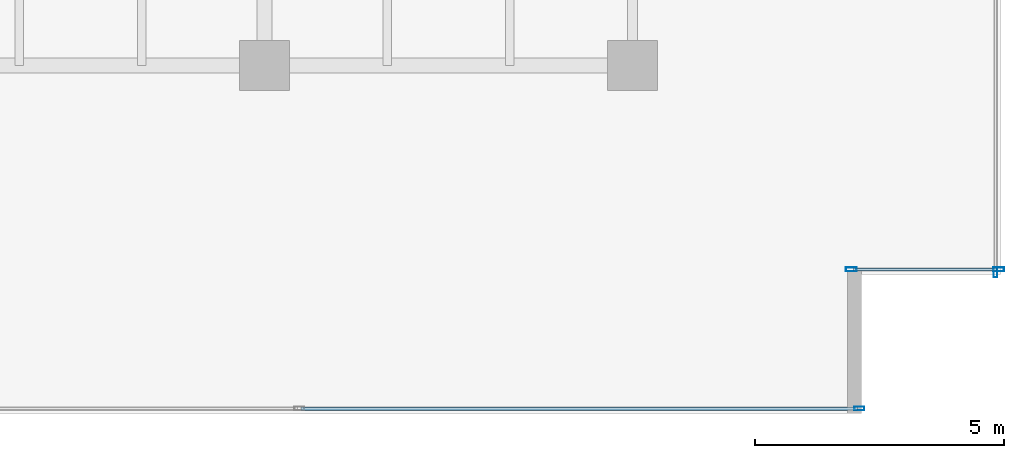
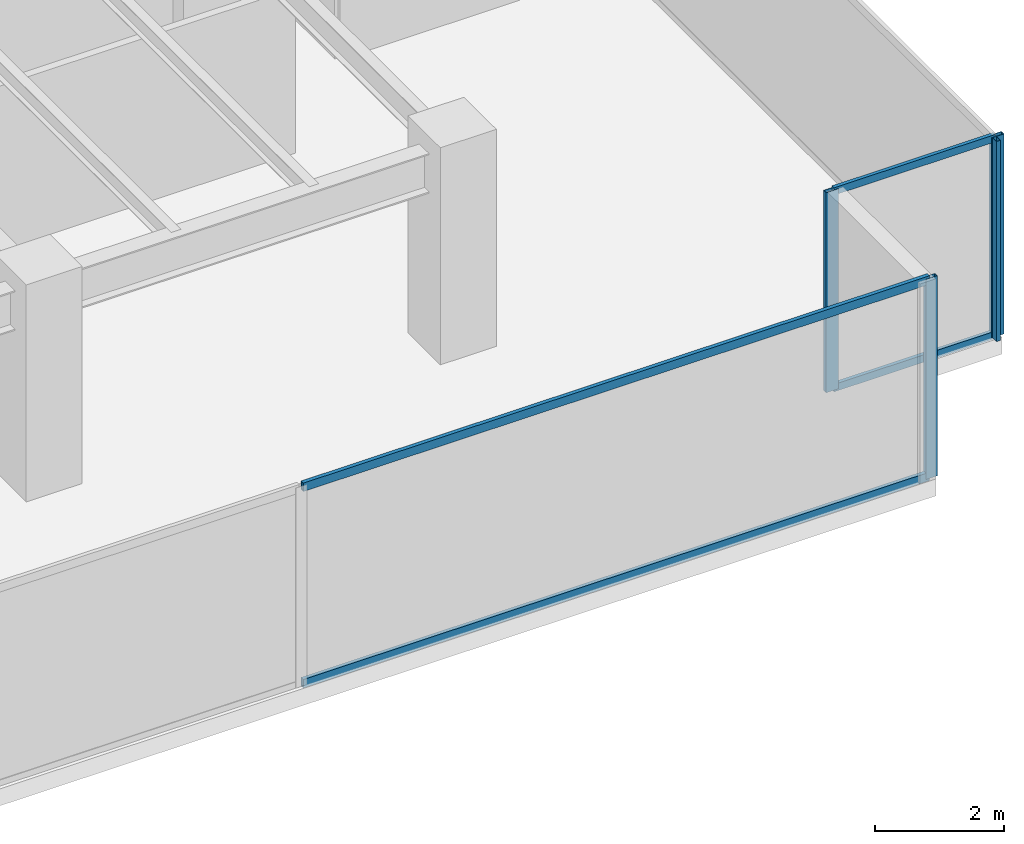
# One storey, part 23 of 35: 8 members, 3 elements without a shape of their own.
"""IFC4 building model written with IfcOpenShell, lengths in metres."""

from ifc_helpers import new_model, si_unit, direction, frame, origin, origin_2d, place, context, subcontext, project, spatial, hollow_rectangle, extrude, source, transform, mapped, material, layer, layer_set, material_profile, profile_set, type_object, type_shapes, element, aggregate, save


model = new_model("IFC4")

# Units and contexts
model_context = context("Model", 3, precision=1e-05, world=origin(), true_north=direction((0.0, 1.0)))
body_context = subcontext(model_context, "Body", "Model", "MODEL_VIEW")
ifc_project = project(units=[si_unit("LENGTHUNIT", "METRE"), si_unit("AREAUNIT", "SQUARE_METRE"), si_unit("VOLUMEUNIT", "CUBIC_METRE"), si_unit("PLANEANGLEUNIT", "RADIAN"), si_unit("MASSUNIT", "GRAM", prefix="KILO")], contexts=[model_context])

# Site, building, storey
site_placement = place(None, origin())
site = spatial("IfcSite", under=ifc_project, at=site_placement, CompositionType="ELEMENT")
building_placement = place(site_placement, origin())
building = spatial("IfcBuilding", under=site, at=building_placement, Name="Haelvirn Gate Laboratories", CompositionType="ELEMENT")
storey_placement = place(building_placement, frame((0.0, 0.0, 90.800048828125)))
storey = spatial("IfcBuildingStorey", under=building, at=storey_placement, Name="L22", CompositionType="ELEMENT", Elevation=90.800048828125)

# Curtain wall, member
ifc_material_1 = material(Name="Anodised bronze unitised aluminium & triple low-E glass", Category="aluminium")
ifc_layer_1 = layer(ifc_material_1, 0.18408203125, Name="CW-SYS-2")
ifc_layer_set_1 = layer_set([ifc_layer_1], Name="Anodised bronze unitised aluminium & triple low-E glass")
curtain_wall_type_1 = type_object("IfcCurtainWallType", Name="CW-SYS-2", PredefinedType="NOTDEFINED", material=ifc_layer_set_1)
curtain_wall_1_placement = place(storey_placement, origin())
curtain_wall_1 = element("IfcCurtainWall", 1, at=curtain_wall_1_placement, inside=storey, type_object=curtain_wall_type_1, Name="L22 Unitised Curtain Wall CW-L22-P0-E04-1", PredefinedType="NOTDEFINED")
ifc_material_2 = material(Name="Extruded aluminium 6063-T6 (anodised bronze)", Category="aluminium")
ifc_material_profile_1 = material_profile(ifc_material_2, hollow_rectangle(XDim=0.074951171875, YDim=0.199951171875, WallThickness=0.0048828125, at=origin_2d()), Name="CWM-200x75x5")
ifc_profile_set_1 = profile_set([ifc_material_profile_1], Name="Extruded aluminium 6063-T6 (anodised bronze)")
member_type_1 = type_object("IfcMemberType", Name="CWM-T200", PredefinedType="MULLION", material=ifc_profile_set_1)
shared_shape_1 = source(origin(), body_context, "Body", "SweptSolid", [
    extrude(hollow_rectangle(XDim=0.074951171875, YDim=0.199951171875, WallThickness=0.0048828125, at=origin_2d()), origin(), (0.0, 0.0, 1.0), 3.780029296875),
])
type_shapes(member_type_1, [shared_shape_1])
member_1_placement = place(storey_placement, frame((71.96240234375, 0.10009765625, 0.0), z_axis=(0.0, 0.0, 1.0), x_axis=(0.0, 1.0, 0.0)))
member_1 = element("IfcMember", 2, at=member_1_placement, type_object=member_type_1, Name="CW2 mullion 3", PredefinedType="MULLION", context=body_context, shape_type="MappedRepresentation", body=[
    mapped(shared_shape_1, transform((0.0, 0.0, 0.0), scale=1.0)),
])

curtain_wall_2_placement = place(storey_placement, origin())
curtain_wall_2 = element("IfcCurtainWall", 3, at=curtain_wall_2_placement, inside=storey, type_object=curtain_wall_type_1, Name="L22 Unitised Curtain Wall CW-L22-P0-E07", PredefinedType="NOTDEFINED")
member_2_placement = place(storey_placement, frame((74.699951171875, 2.83740234375, 0.0), z_axis=(0.0, 0.0, 1.0), x_axis=(-1.0, 0.0, 0.0)))
member_2 = element("IfcMember", 4, at=member_2_placement, type_object=member_type_1, Name="CW2 mullion 1", PredefinedType="MULLION", context=body_context, shape_type="MappedRepresentation", body=[
    mapped(shared_shape_1, transform((0.0, 0.0, 0.0), scale=1.0)),
])
aggregate(curtain_wall_2, [member_2])

# Member
ifc_material_profile_2 = material_profile(ifc_material_2, hollow_rectangle(XDim=0.070068359375, YDim=0.159912109375, WallThickness=0.0048828125, at=origin_2d()), Name="CWT-160x70x5")
ifc_profile_set_2 = profile_set([ifc_material_profile_2], Name="Extruded aluminium 6063-T6 (anodised bronze)")
member_type_2 = type_object("IfcMemberType", Name="CWT-T160", PredefinedType="USERDEFINED", material=ifc_profile_set_2)
shared_shape_2 = source(origin(), body_context, "Body", "SweptSolid", [
    extrude(hollow_rectangle(XDim=0.070068359375, YDim=0.159912109375, WallThickness=0.0048828125, at=origin_2d()), origin(), (0.0, 0.0, 1.0), 11.1875),
])
type_shapes(member_type_2, [shared_shape_2])
member_3_placement = place(storey_placement, frame((60.737548828125, 0.10009765625, 0.034912109375), z_axis=(1.0, 0.0, 0.0), x_axis=(0.0, 1.0, 0.0)))
member_3 = element("IfcMember", 5, at=member_3_placement, type_object=member_type_2, Name="CW2 transom 2.1", ObjectType="TRANSOM", PredefinedType="USERDEFINED", context=body_context, shape_type="MappedRepresentation", body=[
    mapped(shared_shape_2, transform((0.0, 0.0, 0.0), scale=1.0)),
])

member_4_placement = place(storey_placement, frame((60.737548828125, 0.10009765625, 3.744873046875), z_axis=(1.0, 0.0, 0.0), x_axis=(0.0, 1.0, 0.0)))
member_4 = element("IfcMember", 6, at=member_4_placement, type_object=member_type_2, Name="CW2 transom 2.2", ObjectType="TRANSOM", PredefinedType="USERDEFINED", context=body_context, shape_type="MappedRepresentation", body=[
    mapped(shared_shape_2, transform((0.0, 0.0, 0.0), scale=1.0)),
])

aggregate(curtain_wall_1, [member_1, member_3, member_4])

# Curtain wall, members
ifc_layer_2 = layer(ifc_material_1, 0.181884765625, Name="CW-SYS-5")
ifc_layer_set_2 = layer_set([ifc_layer_2], Name="Anodised bronze unitised aluminium & triple low-E glass")
curtain_wall_type_2 = type_object("IfcCurtainWallType", Name="CW-SYS-5", PredefinedType="NOTDEFINED", material=ifc_layer_set_2)
curtain_wall_3_placement = place(storey_placement, origin())
curtain_wall_3 = element("IfcCurtainWall", 7, at=curtain_wall_3_placement, inside=storey, type_object=curtain_wall_type_2, Name="L22 Unitised Curtain Wall CW-L22-P0-E06-1", PredefinedType="NOTDEFINED")
ifc_material_profile_3 = material_profile(ifc_material_2, hollow_rectangle(XDim=0.080078125, YDim=0.219970703125, WallThickness=0.006103515625, at=origin_2d()), Name="CWM-220x80x6")
ifc_profile_set_3 = profile_set([ifc_material_profile_3], Name="Extruded aluminium 6063-T6 (anodised bronze)")
member_type_3 = type_object("IfcMemberType", Name="CWM-T220", PredefinedType="MULLION", material=ifc_profile_set_3)
shared_shape_3 = source(origin(), body_context, "Body", "SweptSolid", [
    extrude(hollow_rectangle(XDim=0.080078125, YDim=0.219970703125, WallThickness=0.006103515625, at=origin_2d()), origin(), (0.0, 0.0, 1.0), 3.780029296875),
])
type_shapes(member_type_3, [shared_shape_3])
member_5_placement = place(storey_placement, frame((71.800048828125, 2.89990234375, 0.0), z_axis=(0.0, 0.0, 1.0), x_axis=(0.0, 1.0, 0.0)))
member_5 = element("IfcMember", 8, at=member_5_placement, type_object=member_type_3, Name="CW5 mullion 1", PredefinedType="MULLION", context=body_context, shape_type="MappedRepresentation", body=[
    mapped(shared_shape_3, transform((0.0, 0.0, 0.0), scale=1.0)),
])
member_6_placement = place(storey_placement, frame((74.760009765625, 2.89990234375, 0.0), z_axis=(0.0, 0.0, 1.0), x_axis=(0.0, 1.0, 0.0)))
member_6 = element("IfcMember", 9, at=member_6_placement, type_object=member_type_3, Name="CW5 mullion 2", PredefinedType="MULLION", context=body_context, shape_type="MappedRepresentation", body=[
    mapped(shared_shape_3, transform((0.0, 0.0, 0.0), scale=1.0)),
])
ifc_material_profile_4 = material_profile(ifc_material_2, hollow_rectangle(XDim=0.06494140625, YDim=0.139892578125, WallThickness=0.00390625, at=origin_2d()), Name="CWT-140x65x4")
ifc_profile_set_4 = profile_set([ifc_material_profile_4], Name="Extruded aluminium 6063-T6 (anodised bronze)")
member_type_4 = type_object("IfcMemberType", Name="CWT-T140", PredefinedType="USERDEFINED", material=ifc_profile_set_4)
shared_shape_4 = source(origin(), body_context, "Body", "SweptSolid", [
    extrude(hollow_rectangle(XDim=0.06494140625, YDim=0.139892578125, WallThickness=0.00390625, at=origin_2d()), origin(), (0.0, 0.0, 1.0), 2.8798828125),
])
type_shapes(member_type_4, [shared_shape_4])
member_7_placement = place(storey_placement, frame((71.840087890625, 2.89990234375, 0.032470703125), z_axis=(1.0, 0.0, 0.0), x_axis=(0.0, 1.0, 0.0)))
member_7 = element("IfcMember", 10, at=member_7_placement, type_object=member_type_4, Name="CW5 transom 1.1", ObjectType="TRANSOM", PredefinedType="USERDEFINED", context=body_context, shape_type="MappedRepresentation", body=[
    mapped(shared_shape_4, transform((0.0, 0.0, 0.0), scale=1.0)),
])
member_8_placement = place(storey_placement, frame((71.840087890625, 2.89990234375, 3.74755859375), z_axis=(1.0, 0.0, 0.0), x_axis=(0.0, 1.0, 0.0)))
member_8 = element("IfcMember", 11, at=member_8_placement, type_object=member_type_4, Name="CW5 transom 1.2", ObjectType="TRANSOM", PredefinedType="USERDEFINED", context=body_context, shape_type="MappedRepresentation", body=[
    mapped(shared_shape_4, transform((0.0, 0.0, 0.0), scale=1.0)),
])
aggregate(curtain_wall_3, [member_5, member_6, member_7, member_8])

save(model, "model.ifc")
